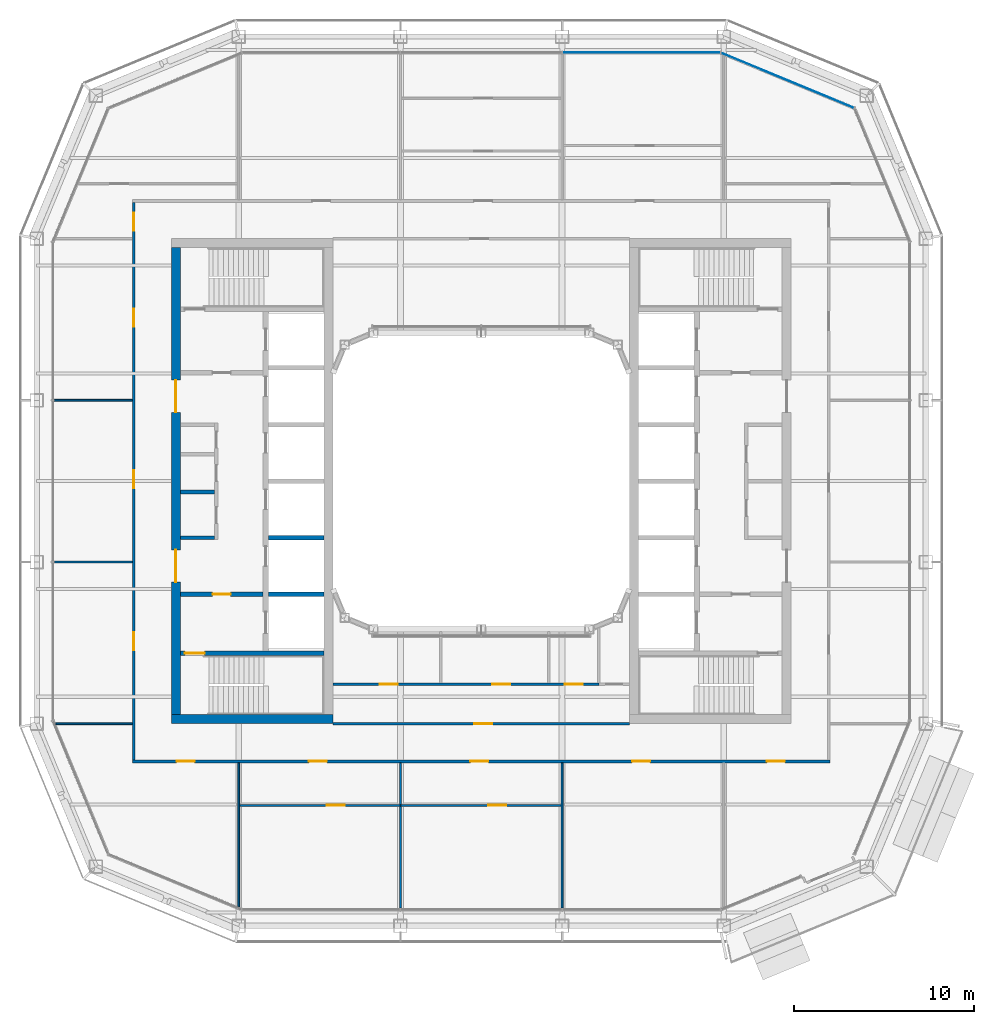
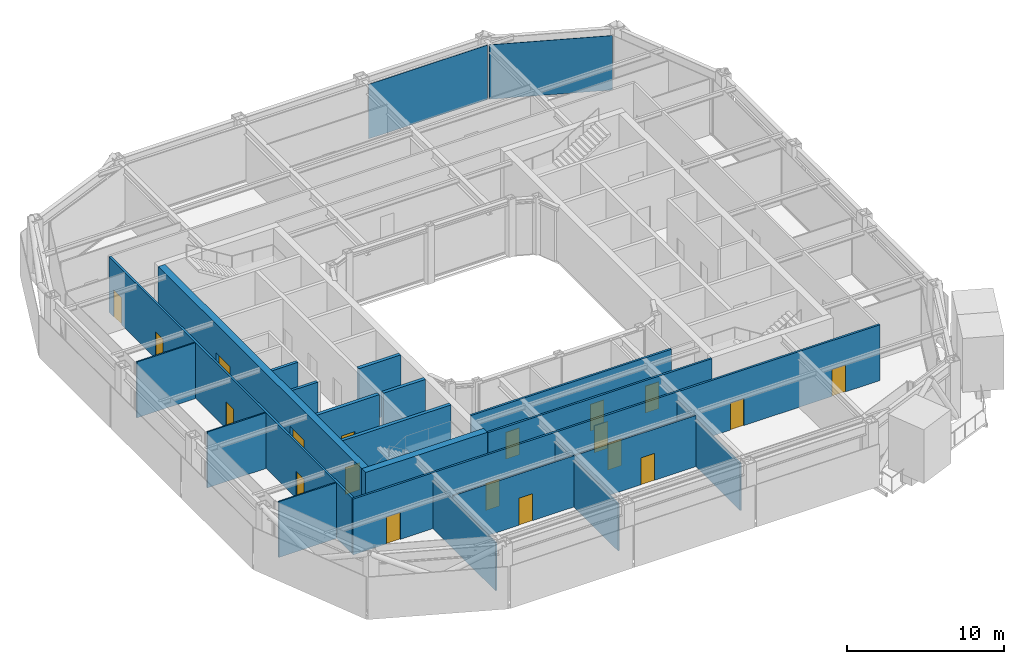
# One storey, part 10 of 21: 20 walls, 19 doors, 2 plates, 19 openings, 2 elements without a shape of their own.
"""IFC4 building model written with IfcOpenShell, lengths in metres."""

from ifc_helpers import new_model, si_unit, direction, frame, frame_2d, origin, origin_2d, place, context, subcontext, project, spatial, rectangle, extrude, material, layer, layer_set, type_object, element, fill, aggregate, save


model = new_model("IFC4")

# Units and contexts
model_context = context("Model", 3, precision=1e-05, world=origin(), true_north=direction((0.0, 1.0)))
body_context = subcontext(model_context, "Body", "Model", "MODEL_VIEW")
ifc_project = project(units=[si_unit("LENGTHUNIT", "METRE"), si_unit("AREAUNIT", "SQUARE_METRE"), si_unit("VOLUMEUNIT", "CUBIC_METRE"), si_unit("PLANEANGLEUNIT", "RADIAN"), si_unit("MASSUNIT", "GRAM", prefix="KILO")], contexts=[model_context])

# Site, building, storey
site_placement = place(None, origin())
site = spatial("IfcSite", under=ifc_project, at=site_placement, CompositionType="ELEMENT")
building_placement = place(site_placement, origin())
building = spatial("IfcBuilding", under=site, at=building_placement, Name="Siwar Civic Tower", CompositionType="ELEMENT")
storey_placement = place(building_placement, frame((0.0, 0.0, 303.199951171875)))
storey = spatial("IfcBuildingStorey", under=building, at=storey_placement, Name="L65", CompositionType="ELEMENT", Elevation=303.199951171875)

# Curtain wall, plate
ifc_material_1 = material(Name="Aluminium and glass", Category="aluminium")
ifc_layer_1 = layer(ifc_material_1, 0.159912109375)
ifc_layer_set_1 = layer_set([ifc_layer_1], Name="Aluminium and glass")
curtain_wall_type_1 = type_object("IfcCurtainWallType", Name="ENV-CW-D", PredefinedType="NOTDEFINED", material=ifc_layer_set_1)
curtain_wall_1_placement = place(storey_placement, origin())
curtain_wall_1 = element("IfcCurtainWall", 1, at=curtain_wall_1_placement, inside=storey, type_object=curtain_wall_type_1, Name="Curtain wall D N", PredefinedType="NOTDEFINED")
ifc_material_2 = material(Name="Glass clear laminated", Category="glass")
ifc_layer_2 = layer(ifc_material_2, 0.030029296875)
ifc_layer_set_2 = layer_set([ifc_layer_2], Name="Glass clear laminated")
plate_type_1 = type_object("IfcPlateType", Name="ENV-PANEL-D", PredefinedType="CURTAIN_PANEL", material=ifc_layer_set_2)
plate_1_placement = place(storey_placement, frame((8.910400390625, 23.85009765625, 0.10009765625), z_axis=(0.0, 0.0, 1.0), x_axis=(-1.0, 0.0, 0.0)))
plate_1 = element("IfcPlate", 2, at=plate_1_placement, type_object=plate_type_1, Name="Curtain panel D N 1", PredefinedType="CURTAIN_PANEL", context=body_context, shape_type="SweptSolid", body=[
    extrude(rectangle(XDim=8.760986328125, YDim=0.030029296875, at=origin_2d()), origin(), (0.0, 0.0, 1.0), 4.25),
])
aggregate(curtain_wall_1, [plate_1])

ifc_material_3 = material(Name="Aluminium clad insulated panel", Category="aluminium")
ifc_layer_3 = layer(ifc_material_3, 0.159912109375)
ifc_layer_set_3 = layer_set([ifc_layer_3], Name="Aluminium clad insulated panel")
curtain_wall_type_2 = type_object("IfcCurtainWallType", Name="ENV-CW-DX", PredefinedType="NOTDEFINED", material=ifc_layer_set_3)
curtain_wall_2_placement = place(storey_placement, origin())
curtain_wall_2 = element("IfcCurtainWall", 3, at=curtain_wall_2_placement, inside=storey, type_object=curtain_wall_type_2, Name="Curtain wall D NE2", PredefinedType="NOTDEFINED")
ifc_material_4 = material(Name="Aluminium clad insulated panel", Category="aluminium")
ifc_layer_4 = layer(ifc_material_4, 0.030029296875)
ifc_layer_set_4 = layer_set([ifc_layer_4], Name="Aluminium clad insulated panel")
plate_type_2 = type_object("IfcPlateType", Name="ENV-PANEL-DX", PredefinedType="CURTAIN_PANEL", material=ifc_layer_set_4)
plate_2_placement = place(storey_placement, frame((17.074951171875, 22.295166015625, 0.10009765625), z_axis=(0.0, 0.0, 1.0), x_axis=(-0.923879532511, 0.382683432365, 0.0)))
plate_2 = element("IfcPlate", 4, at=plate_2_placement, type_object=plate_type_2, Name="Curtain panel D NE2 1", PredefinedType="CURTAIN_PANEL", context=body_context, shape_type="SweptSolid", body=[
    extrude(rectangle(XDim=7.9306640625, YDim=0.030029296875, at=origin_2d()), origin(), (0.0, 0.0, 1.0), 4.25),
])
aggregate(curtain_wall_2, [plate_2])

# Walls
ifc_material_5 = material(Name="Gypsum board on steel studs", Category="steel")
ifc_layer_5 = layer(ifc_material_5, 0.199951171875)
ifc_layer_set_5 = layer_set([ifc_layer_5], Name="Gypsum board on steel studs")
wall_type_1 = type_object("IfcWallType", Name="CORE-PARTITION-200", PredefinedType="PARTITIONING", material=ifc_layer_set_5)
for number, where, z_axis, x_axis, name in (
    (5, (-14.85009765625, -3.14990234375, 0.0), (0.0, 0.0, 1.0), (-1.0, 0.0, 0.0), "Core partition W"),
    (6, (-14.85009765625, -0.60009765625, 0.0), (0.0, 0.0, 1.0), (-1.0, 0.0, 0.0), "Core partition W"),
):
    element("IfcWall", number, at=place(storey_placement, frame(where, z_axis=z_axis, x_axis=x_axis)), inside=storey, type_object=wall_type_1, Name=name, PredefinedType="PARTITIONING", context=body_context, shape_type="SweptSolid", body=[
        extrude(rectangle(XDim=1.89990234375, YDim=0.199951171875, at=frame_2d((0.949951171875, 0.0))), origin(), (0.0, 0.0, 1.0), 4.35009765625),
    ])

# Wall, opening, door
ifc_material_6 = material(Name="Concrete C60/75", Category="concrete")
ifc_layer_6 = layer(ifc_material_6, 0.25)
ifc_layer_set_6 = layer_set([ifc_layer_6], Name="Concrete C60/75")
wall_type_2 = type_object("IfcWallType", Name="CORE-WALL-RC250", PredefinedType="SHEAR", material=ifc_layer_set_6)
wall_1_placement = place(storey_placement, frame((-12.14990234375, -6.300048828125, 0.0), z_axis=(0.0, 0.0, 1.0), x_axis=(-1.0, 0.0, 0.0)))
wall_1 = element("IfcWall", 7, at=wall_1_placement, inside=storey, type_object=wall_type_2, Name="Core wall W", PredefinedType="SHEAR", context=body_context, shape_type="SweptSolid", body=[
    extrude(rectangle(XDim=4.60009765625, YDim=0.25, at=frame_2d((2.300048828125, 0.0))), origin(), (0.0, 0.0, 1.0), 4.35009765625),
])
opening_1_placement = place(wall_1_placement, frame((1.800048828125, 0.0, 0.0)))
opening_1 = element("IfcOpeningElement", 8, at=opening_1_placement, cuts=wall_1, Name="Opening L65-CW02", PredefinedType="OPENING", context=body_context, shape_type="SweptSolid", body=[
    extrude(rectangle(XDim=1.0, YDim=2.10009765625, at=frame_2d((0.5, 1.050048828125))), frame((0.0, 0.135009765625, 0.0), z_axis=(0.0, -1.0, 0.0), x_axis=(1.0, 0.0, 0.0)), (0.0, 0.0, 1.0), 0.27001953125),
])
ifc_material_7 = material(Name="Steel door leaf", Category="steel")
door_type_1 = type_object("IfcDoorType", Name="CORE-DOOR-FD30S", OperationType="SINGLE_SWING_LEFT", PredefinedType="DOOR", material=ifc_material_7)
door_1_placement = place(opening_1_placement, origin())
door_1 = element("IfcDoor", 9, at=door_1_placement, inside=storey, type_object=door_type_1, Name="Service lobby door L65-CW02", OperationType="SINGLE_SWING_RIGHT", OverallHeight=2.10009765625, OverallWidth=1.0, PredefinedType="DOOR", context=body_context, shape_type="SweptSolid", body=[
    extrude(rectangle(XDim=1.0, YDim=2.10009765625, at=frame_2d((0.5, 1.050048828125))), frame((0.0, 0.02490234375, 0.0), z_axis=(0.0, -1.0, 0.0), x_axis=(1.0, 0.0, 0.0)), (0.0, 0.0, 1.0), 0.050048828125),
])
fill(opening_1, door_1)

# Walls
for number, where, z_axis, x_axis, name in (
    (10, (-8.75, -3.14990234375, 0.0), (0.0, 0.0, 1.0), (-1.0, 0.0, 0.0), "Core wall W"),
    (11, (-8.75, -6.300048828125, 0.0), (0.0, 0.0, 1.0), (-1.0, 0.0, 0.0), "Core wall W"),
):
    element("IfcWall", number, at=place(storey_placement, frame(where, z_axis=z_axis, x_axis=x_axis)), inside=storey, type_object=wall_type_2, Name=name, PredefinedType="SHEAR", context=body_context, shape_type="SweptSolid", body=[
        extrude(rectangle(XDim=3.10009765625, YDim=0.25, at=frame_2d((1.550048828125, 0.0))), origin(), (0.0, 0.0, 1.0), 4.35009765625),
    ])

# Wall, opening, door
wall_2_placement = place(storey_placement, frame((-8.75, -9.574951171875, 0.0), z_axis=(0.0, 0.0, 1.0), x_axis=(-1.0, 0.0, 0.0)))
wall_2 = element("IfcWall", 12, at=wall_2_placement, inside=storey, type_object=wall_type_2, Name="Core wall W", PredefinedType="SHEAR", context=body_context, shape_type="SweptSolid", body=[
    extrude(rectangle(XDim=8.0, YDim=0.25, at=frame_2d((4.0, 0.0))), origin(), (0.0, 0.0, 1.0), 4.35009765625),
])
opening_2_placement = place(wall_2_placement, frame((6.64990234375, 0.0, 0.0)))
opening_2 = element("IfcOpeningElement", 13, at=opening_2_placement, cuts=wall_2, Name="Opening L65-CW04", PredefinedType="OPENING", context=body_context, shape_type="SweptSolid", body=[
    extrude(rectangle(XDim=1.10009765625, YDim=2.10009765625, at=frame_2d((0.550048828125, 1.050048828125))), frame((0.0, 0.135009765625, 0.0), z_axis=(0.0, -1.0, 0.0), x_axis=(1.0, 0.0, 0.0)), (0.0, 0.0, 1.0), 0.27001953125),
])
ifc_material_8 = material(Name="Steel door leaf", Category="steel")
door_type_2 = type_object("IfcDoorType", Name="CORE-DOOR-FD60S", OperationType="SINGLE_SWING_LEFT", PredefinedType="DOOR", material=ifc_material_8)
door_2_placement = place(opening_2_placement, origin())
door_2 = element("IfcDoor", 14, at=door_2_placement, inside=storey, type_object=door_type_2, Name="Stair door L65-CW04", OperationType="SINGLE_SWING_LEFT", OverallHeight=2.10009765625, OverallWidth=1.10009765625, PredefinedType="DOOR", context=body_context, shape_type="SweptSolid", body=[
    extrude(rectangle(XDim=1.10009765625, YDim=2.10009765625, at=frame_2d((0.550048828125, 1.050048828125))), frame((0.0, 0.02490234375, 0.0), z_axis=(0.0, -1.0, 0.0), x_axis=(1.0, 0.0, 0.0)), (0.0, 0.0, 1.0), 0.050048828125),
])
fill(opening_2, door_2)

# Wall, openings, doors
ifc_material_9 = material(Name="Concrete C60/75", Category="concrete")
ifc_layer_7 = layer(ifc_material_9, 0.5)
ifc_layer_set_7 = layer_set([ifc_layer_7], Name="Concrete C60/75")
wall_type_3 = type_object("IfcWallType", Name="CORE-WALL-RC500", PredefinedType="SHEAR", material=ifc_layer_set_7)
wall_3_placement = place(storey_placement, frame((-17.0, -13.0, 0.0), z_axis=(0.0, 0.0, 1.0), x_axis=(0.0, 1.0, 0.0)))
wall_3 = element("IfcWall", 15, at=wall_3_placement, inside=storey, type_object=wall_type_3, Name="Core wall W", PredefinedType="SHEAR", context=body_context, shape_type="SweptSolid", body=[
    extrude(rectangle(XDim=26.0, YDim=0.5, at=frame_2d((13.0, 0.0))), origin(), (0.0, 0.0, 1.0), 4.35009765625),
])
opening_3_placement = place(wall_3_placement, frame((16.824951171875, 0.0, 0.0)))
opening_3 = element("IfcOpeningElement", 16, at=opening_3_placement, cuts=wall_3, Name="Opening L65-CW05", PredefinedType="OPENING", context=body_context, shape_type="SweptSolid", body=[
    extrude(rectangle(XDim=1.800048828125, YDim=2.10009765625, at=frame_2d((0.89990234375, 1.050048828125))), frame((0.0, 0.260009765625, 0.0), z_axis=(0.0, -1.0, 0.0), x_axis=(1.0, 0.0, 0.0)), (0.0, 0.0, 1.0), 0.52001953125),
])
opening_4_placement = place(wall_3_placement, frame((7.375, 0.0, 0.0)))
opening_4 = element("IfcOpeningElement", 17, at=opening_4_placement, cuts=wall_3, Name="Opening L65-CW06", PredefinedType="OPENING", context=body_context, shape_type="SweptSolid", body=[
    extrude(rectangle(XDim=1.800048828125, YDim=2.10009765625, at=frame_2d((0.89990234375, 1.050048828125))), frame((0.0, 0.260009765625, 0.0), z_axis=(0.0, -1.0, 0.0), x_axis=(1.0, 0.0, 0.0)), (0.0, 0.0, 1.0), 0.52001953125),
])
ifc_material_10 = material(Name="Steel door leaf", Category="steel")
door_type_3 = type_object("IfcDoorType", Name="CORE-DOOR-PORT", OperationType="DOUBLE_DOOR_DOUBLE_SWING", PredefinedType="DOOR", material=ifc_material_10)
door_3_placement = place(opening_3_placement, origin())
door_3 = element("IfcDoor", 18, at=door_3_placement, inside=storey, type_object=door_type_3, Name="Core entrance door L65-CW05", OperationType="DOUBLE_DOOR_DOUBLE_SWING", OverallHeight=2.10009765625, OverallWidth=1.800048828125, PredefinedType="DOOR", context=body_context, shape_type="SweptSolid", body=[
    extrude(rectangle(XDim=1.800048828125, YDim=2.10009765625, at=frame_2d((0.89990234375, 1.050048828125))), frame((0.0, 0.02490234375, 0.0), z_axis=(0.0, -1.0, 0.0), x_axis=(1.0, 0.0, 0.0)), (0.0, 0.0, 1.0), 0.050048828125),
])
fill(opening_3, door_3)
door_4_placement = place(opening_4_placement, origin())
door_4 = element("IfcDoor", 19, at=door_4_placement, inside=storey, type_object=door_type_3, Name="Core entrance door L65-CW06", OperationType="DOUBLE_DOOR_DOUBLE_SWING", OverallHeight=2.10009765625, OverallWidth=1.800048828125, PredefinedType="DOOR", context=body_context, shape_type="SweptSolid", body=[
    extrude(rectangle(XDim=1.800048828125, YDim=2.10009765625, at=frame_2d((0.89990234375, 1.050048828125))), frame((0.0, 0.02490234375, 0.0), z_axis=(0.0, -1.0, 0.0), x_axis=(1.0, 0.0, 0.0)), (0.0, 0.0, 1.0), 0.050048828125),
])
fill(opening_4, door_4)

# Wall
wall_4_placement = place(storey_placement, frame((-8.25, -13.25, 0.0), z_axis=(0.0, 0.0, 1.0), x_axis=(-1.0, 0.0, 0.0)))
element("IfcWall", 20, at=wall_4_placement, inside=storey, type_object=wall_type_3, Name="Core wall W", PredefinedType="SHEAR", context=body_context, shape_type="SweptSolid", body=[
    extrude(rectangle(XDim=9.0, YDim=0.5, at=frame_2d((4.5, 0.0))), origin(), (0.0, 0.0, 1.0), 4.35009765625),
])

# Wall, openings, doors
ifc_material_11 = material(Name="Gypsum board on steel studs", Category="steel")
ifc_layer_8 = layer(ifc_material_11, 0.14990234375)
ifc_layer_set_8 = layer_set([ifc_layer_8], Name="Gypsum board on steel studs")
wall_type_4 = type_object("IfcWallType", Name="CORRIDOR PARTITION 150 EI 30", PredefinedType="PARTITIONING", material=ifc_layer_set_8)
wall_5_placement = place(storey_placement, frame((-19.425048828125, -15.60009765625, 0.0), z_axis=(0.0, 0.0, 1.0), x_axis=(1.0, 0.0, 0.0)))
wall_5 = element("IfcWall", 21, at=wall_5_placement, inside=storey, type_object=wall_type_4, Name="L65/wall/P02", PredefinedType="PARTITIONING", context=body_context, shape_type="SweptSolid", body=[
    extrude(rectangle(XDim=38.85009765625, YDim=0.14990234375, at=frame_2d((19.425048828125, 0.0))), origin(), (0.0, 0.0, 1.0), 4.35009765625),
])
opening_5_placement = place(wall_5_placement, frame((9.824951171875, 0.0, 0.0)))
opening_5 = element("IfcOpeningElement", 22, at=opening_5_placement, cuts=wall_5, Name="Opening D1", PredefinedType="OPENING", context=body_context, shape_type="SweptSolid", body=[
    extrude(rectangle(XDim=1.0, YDim=2.10009765625, at=frame_2d((0.5, 1.050048828125))), frame((0.0, 0.0849609375, 0.0), z_axis=(0.0, -1.0, 0.0), x_axis=(1.0, 0.0, 0.0)), (0.0, 0.0, 1.0), 0.169921875),
])
opening_6_placement = place(wall_5_placement, frame((18.824951171875, 0.0, 0.0)))
opening_6 = element("IfcOpeningElement", 23, at=opening_6_placement, cuts=wall_5, Name="Opening D1", PredefinedType="OPENING", context=body_context, shape_type="SweptSolid", body=[
    extrude(rectangle(XDim=1.0, YDim=2.10009765625, at=frame_2d((0.5, 1.050048828125))), frame((0.0, 0.0849609375, 0.0), z_axis=(0.0, -1.0, 0.0), x_axis=(1.0, 0.0, 0.0)), (0.0, 0.0, 1.0), 0.169921875),
])
opening_7_placement = place(wall_5_placement, frame((27.824951171875, 0.0, 0.0)))
opening_7 = element("IfcOpeningElement", 24, at=opening_7_placement, cuts=wall_5, Name="Opening D1", PredefinedType="OPENING", context=body_context, shape_type="SweptSolid", body=[
    extrude(rectangle(XDim=1.0, YDim=2.10009765625, at=frame_2d((0.5, 1.050048828125))), frame((0.0, 0.0849609375, 0.0), z_axis=(0.0, -1.0, 0.0), x_axis=(1.0, 0.0, 0.0)), (0.0, 0.0, 1.0), 0.169921875),
])
opening_8_placement = place(wall_5_placement, frame((2.47509765625, 0.0, 0.0)))
opening_8 = element("IfcOpeningElement", 25, at=opening_8_placement, cuts=wall_5, Name="Opening D1", PredefinedType="OPENING", context=body_context, shape_type="SweptSolid", body=[
    extrude(rectangle(XDim=1.0, YDim=2.10009765625, at=frame_2d((0.5, 1.050048828125))), frame((0.0, 0.0849609375, 0.0), z_axis=(0.0, -1.0, 0.0), x_axis=(1.0, 0.0, 0.0)), (0.0, 0.0, 1.0), 0.169921875),
])
opening_9_placement = place(wall_5_placement, frame((35.324951171875, 0.0, 0.0)))
opening_9 = element("IfcOpeningElement", 26, at=opening_9_placement, cuts=wall_5, Name="Opening D1", PredefinedType="OPENING", context=body_context, shape_type="SweptSolid", body=[
    extrude(rectangle(XDim=1.0, YDim=2.10009765625, at=frame_2d((0.5, 1.050048828125))), frame((0.0, 0.0849609375, 0.0), z_axis=(0.0, -1.0, 0.0), x_axis=(1.0, 0.0, 0.0)), (0.0, 0.0, 1.0), 0.169921875),
])
ifc_material_12 = material(Name="Timber, painted", Category="wood")
door_type_4 = type_object("IfcDoorType", Name="DOOR 1000 X 2100 FD30", OperationType="SINGLE_SWING_LEFT", PredefinedType="DOOR", material=ifc_material_12)
door_5_placement = place(opening_5_placement, origin())
door_5 = element("IfcDoor", 27, at=door_5_placement, inside=storey, type_object=door_type_4, Name="L65-D07", OperationType="SINGLE_SWING_LEFT", OverallHeight=2.10009765625, OverallWidth=1.0, PredefinedType="DOOR", context=body_context, shape_type="SweptSolid", body=[
    extrude(rectangle(XDim=1.0, YDim=2.10009765625, at=frame_2d((0.5, 1.050048828125))), frame((0.0, 0.02490234375, 0.0), z_axis=(0.0, -1.0, 0.0), x_axis=(1.0, 0.0, 0.0)), (0.0, 0.0, 1.0), 0.050048828125),
])
fill(opening_5, door_5)
door_6_placement = place(opening_6_placement, origin())
door_6 = element("IfcDoor", 28, at=door_6_placement, inside=storey, type_object=door_type_4, Name="L65-D09", OperationType="SINGLE_SWING_LEFT", OverallHeight=2.10009765625, OverallWidth=1.0, PredefinedType="DOOR", context=body_context, shape_type="SweptSolid", body=[
    extrude(rectangle(XDim=1.0, YDim=2.10009765625, at=frame_2d((0.5, 1.050048828125))), frame((0.0, 0.02490234375, 0.0), z_axis=(0.0, -1.0, 0.0), x_axis=(1.0, 0.0, 0.0)), (0.0, 0.0, 1.0), 0.050048828125),
])
fill(opening_6, door_6)
door_7_placement = place(opening_7_placement, origin())
door_7 = element("IfcDoor", 29, at=door_7_placement, inside=storey, type_object=door_type_4, Name="L65-D11", OperationType="SINGLE_SWING_LEFT", OverallHeight=2.10009765625, OverallWidth=1.0, PredefinedType="DOOR", context=body_context, shape_type="SweptSolid", body=[
    extrude(rectangle(XDim=1.0, YDim=2.10009765625, at=frame_2d((0.5, 1.050048828125))), frame((0.0, 0.02490234375, 0.0), z_axis=(0.0, -1.0, 0.0), x_axis=(1.0, 0.0, 0.0)), (0.0, 0.0, 1.0), 0.050048828125),
])
fill(opening_7, door_7)
door_8_placement = place(opening_8_placement, origin())
door_8 = element("IfcDoor", 30, at=door_8_placement, inside=storey, type_object=door_type_4, Name="L65-D16", OperationType="SINGLE_SWING_RIGHT", OverallHeight=2.10009765625, OverallWidth=1.0, PredefinedType="DOOR", context=body_context, shape_type="SweptSolid", body=[
    extrude(rectangle(XDim=1.0, YDim=2.10009765625, at=frame_2d((0.5, 1.050048828125))), frame((0.0, 0.02490234375, 0.0), z_axis=(0.0, -1.0, 0.0), x_axis=(1.0, 0.0, 0.0)), (0.0, 0.0, 1.0), 0.050048828125),
])
fill(opening_8, door_8)
door_9_placement = place(opening_9_placement, origin())
door_9 = element("IfcDoor", 31, at=door_9_placement, inside=storey, type_object=door_type_4, Name="L65-D17", OperationType="SINGLE_SWING_LEFT", OverallHeight=2.10009765625, OverallWidth=1.0, PredefinedType="DOOR", context=body_context, shape_type="SweptSolid", body=[
    extrude(rectangle(XDim=1.0, YDim=2.10009765625, at=frame_2d((0.5, 1.050048828125))), frame((0.0, 0.02490234375, 0.0), z_axis=(0.0, -1.0, 0.0), x_axis=(1.0, 0.0, 0.0)), (0.0, 0.0, 1.0), 0.050048828125),
])
fill(opening_9, door_9)

# Wall, opening, door
wall_6_placement = place(storey_placement, frame((-8.25, -13.5, 0.0), z_axis=(0.0, 0.0, 1.0), x_axis=(1.0, 0.0, 0.0)))
wall_6 = element("IfcWall", 32, at=wall_6_placement, inside=storey, type_object=wall_type_4, Name="L65/wall/P05", PredefinedType="PARTITIONING", context=body_context, shape_type="SweptSolid", body=[
    extrude(rectangle(XDim=16.5, YDim=0.14990234375, at=frame_2d((8.25, 0.0))), origin(), (0.0, 0.0, 1.0), 4.35009765625),
])
opening_10_placement = place(wall_6_placement, frame((7.85009765625, 0.0, 0.0)))
opening_10 = element("IfcOpeningElement", 33, at=opening_10_placement, cuts=wall_6, Name="Opening D1", PredefinedType="OPENING", context=body_context, shape_type="SweptSolid", body=[
    extrude(rectangle(XDim=1.0, YDim=2.10009765625, at=frame_2d((0.5, 1.050048828125))), frame((0.0, 0.0849609375, 0.0), z_axis=(0.0, -1.0, 0.0), x_axis=(1.0, 0.0, 0.0)), (0.0, 0.0, 1.0), 0.169921875),
])
door_10_placement = place(opening_10_placement, origin())
door_10 = element("IfcDoor", 34, at=door_10_placement, inside=storey, type_object=door_type_4, Name="L65-D25", OperationType="SINGLE_SWING_LEFT", OverallHeight=2.10009765625, OverallWidth=1.0, PredefinedType="DOOR", context=body_context, shape_type="SweptSolid", body=[
    extrude(rectangle(XDim=1.0, YDim=2.10009765625, at=frame_2d((0.5, 1.050048828125))), frame((0.0, 0.02490234375, 0.0), z_axis=(0.0, -1.0, 0.0), x_axis=(1.0, 0.0, 0.0)), (0.0, 0.0, 1.0), 0.050048828125),
])
fill(opening_10, door_10)

# Wall, openings, doors
wall_7_placement = place(storey_placement, frame((-8.25, -11.300048828125, 0.0), z_axis=(0.0, 0.0, 1.0), x_axis=(1.0, 0.0, 0.0)))
wall_7 = element("IfcWall", 35, at=wall_7_placement, inside=storey, type_object=wall_type_4, Name="L65/wall/P06", PredefinedType="PARTITIONING", context=body_context, shape_type="SweptSolid", body=[
    extrude(rectangle(XDim=14.7900390625, YDim=0.14990234375, at=frame_2d((7.39501953125, 0.0))), origin(), (0.0, 0.0, 1.0), 4.35009765625),
])
opening_11_placement = place(wall_7_placement, frame((2.60009765625, 0.0, 0.0)))
opening_11 = element("IfcOpeningElement", 36, at=opening_11_placement, cuts=wall_7, Name="Opening D3", PredefinedType="OPENING", context=body_context, shape_type="SweptSolid", body=[
    extrude(rectangle(XDim=1.0, YDim=2.10009765625, at=frame_2d((0.5, 1.050048828125))), frame((0.0, 0.0849609375, 0.0), z_axis=(0.0, -1.0, 0.0), x_axis=(1.0, 0.0, 0.0)), (0.0, 0.0, 1.0), 0.169921875),
])
opening_12_placement = place(wall_7_placement, frame((8.85009765625, 0.0, 0.0)))
opening_12 = element("IfcOpeningElement", 37, at=opening_12_placement, cuts=wall_7, Name="Opening D3", PredefinedType="OPENING", context=body_context, shape_type="SweptSolid", body=[
    extrude(rectangle(XDim=1.0, YDim=2.10009765625, at=frame_2d((0.5, 1.050048828125))), frame((0.0, 0.0849609375, 0.0), z_axis=(0.0, -1.0, 0.0), x_axis=(1.0, 0.0, 0.0)), (0.0, 0.0, 1.0), 0.169921875),
])
opening_13_placement = place(wall_7_placement, frame((12.889892578125, 0.0, 0.0)))
opening_13 = element("IfcOpeningElement", 38, at=opening_13_placement, cuts=wall_7, Name="Opening D3", PredefinedType="OPENING", context=body_context, shape_type="SweptSolid", body=[
    extrude(rectangle(XDim=1.0, YDim=2.10009765625, at=frame_2d((0.5, 1.050048828125))), frame((0.0, 0.0849609375, 0.0), z_axis=(0.0, -1.0, 0.0), x_axis=(1.0, 0.0, 0.0)), (0.0, 0.0, 1.0), 0.169921875),
])
ifc_material_13 = material(Name="Timber, painted", Category="wood")
door_type_5 = type_object("IfcDoorType", Name="DOOR 1000 X 2100 WC", OperationType="SINGLE_SWING_LEFT", PredefinedType="DOOR", material=ifc_material_13)
door_11_placement = place(opening_11_placement, origin())
door_11 = element("IfcDoor", 39, at=door_11_placement, inside=storey, type_object=door_type_5, Name="L65-D26", OperationType="SINGLE_SWING_RIGHT", OverallHeight=2.10009765625, OverallWidth=1.0, PredefinedType="DOOR", context=body_context, shape_type="SweptSolid", body=[
    extrude(rectangle(XDim=1.0, YDim=2.10009765625, at=frame_2d((0.5, 1.050048828125))), frame((0.0, 0.02490234375, 0.0), z_axis=(0.0, -1.0, 0.0), x_axis=(1.0, 0.0, 0.0)), (0.0, 0.0, 1.0), 0.050048828125),
])
fill(opening_11, door_11)
door_12_placement = place(opening_12_placement, origin())
door_12 = element("IfcDoor", 40, at=door_12_placement, inside=storey, type_object=door_type_5, Name="L65-D27", OperationType="SINGLE_SWING_LEFT", OverallHeight=2.10009765625, OverallWidth=1.0, PredefinedType="DOOR", context=body_context, shape_type="SweptSolid", body=[
    extrude(rectangle(XDim=1.0, YDim=2.10009765625, at=frame_2d((0.5, 1.050048828125))), frame((0.0, 0.02490234375, 0.0), z_axis=(0.0, -1.0, 0.0), x_axis=(1.0, 0.0, 0.0)), (0.0, 0.0, 1.0), 0.050048828125),
])
fill(opening_12, door_12)
door_13_placement = place(opening_13_placement, origin())
door_13 = element("IfcDoor", 41, at=door_13_placement, inside=storey, type_object=door_type_5, Name="L65-D28", OperationType="SINGLE_SWING_RIGHT", OverallHeight=2.10009765625, OverallWidth=1.0, PredefinedType="DOOR", context=body_context, shape_type="SweptSolid", body=[
    extrude(rectangle(XDim=1.0, YDim=2.10009765625, at=frame_2d((0.5, 1.050048828125))), frame((0.0, 0.02490234375, 0.0), z_axis=(0.0, -1.0, 0.0), x_axis=(1.0, 0.0, 0.0)), (0.0, 0.0, 1.0), 0.050048828125),
])
fill(opening_13, door_13)

wall_8_placement = place(storey_placement, frame((-19.35009765625, -15.52490234375, 0.0), z_axis=(0.0, 0.0, 1.0), x_axis=(0.0, 1.0, 0.0)))
wall_8 = element("IfcWall", 42, at=wall_8_placement, inside=storey, type_object=wall_type_4, Name="L65/wall/P21", PredefinedType="PARTITIONING", context=body_context, shape_type="SweptSolid", body=[
    extrude(rectangle(XDim=31.0498046875, YDim=0.14990234375, at=frame_2d((15.52490234375, 0.0))), origin(), (0.0, 0.0, 1.0), 4.35009765625),
])
opening_14_placement = place(wall_8_placement, frame((29.47509765625, 0.0, 0.0)))
opening_14 = element("IfcOpeningElement", 43, at=opening_14_placement, cuts=wall_8, Name="Opening D1", PredefinedType="OPENING", context=body_context, shape_type="SweptSolid", body=[
    extrude(rectangle(XDim=1.0, YDim=2.10009765625, at=frame_2d((0.5, 1.050048828125))), frame((0.0, 0.0849609375, 0.0), z_axis=(0.0, -1.0, 0.0), x_axis=(1.0, 0.0, 0.0)), (0.0, 0.0, 1.0), 0.169921875),
])
opening_15_placement = place(wall_8_placement, frame((6.125, 0.0, 0.0)))
opening_15 = element("IfcOpeningElement", 44, at=opening_15_placement, cuts=wall_8, Name="Opening D1", PredefinedType="OPENING", context=body_context, shape_type="SweptSolid", body=[
    extrude(rectangle(XDim=1.0, YDim=2.10009765625, at=frame_2d((0.5, 1.050048828125))), frame((0.0, 0.0849609375, 0.0), z_axis=(0.0, -1.0, 0.0), x_axis=(1.0, 0.0, 0.0)), (0.0, 0.0, 1.0), 0.169921875),
])
opening_16_placement = place(wall_8_placement, frame((15.125, 0.0, 0.0)))
opening_16 = element("IfcOpeningElement", 45, at=opening_16_placement, cuts=wall_8, Name="Opening D1", PredefinedType="OPENING", context=body_context, shape_type="SweptSolid", body=[
    extrude(rectangle(XDim=1.0, YDim=2.10009765625, at=frame_2d((0.5, 1.050048828125))), frame((0.0, 0.0849609375, 0.0), z_axis=(0.0, -1.0, 0.0), x_axis=(1.0, 0.0, 0.0)), (0.0, 0.0, 1.0), 0.169921875),
])
opening_17_placement = place(wall_8_placement, frame((24.125, 0.0, 0.0)))
opening_17 = element("IfcOpeningElement", 46, at=opening_17_placement, cuts=wall_8, Name="Opening D1", PredefinedType="OPENING", context=body_context, shape_type="SweptSolid", body=[
    extrude(rectangle(XDim=1.0, YDim=2.10009765625, at=frame_2d((0.5, 1.050048828125))), frame((0.0, 0.0849609375, 0.0), z_axis=(0.0, -1.0, 0.0), x_axis=(1.0, 0.0, 0.0)), (0.0, 0.0, 1.0), 0.169921875),
])
door_14_placement = place(opening_14_placement, origin())
door_14 = element("IfcDoor", 47, at=door_14_placement, inside=storey, type_object=door_type_4, Name="L65-D12", OperationType="SINGLE_SWING_RIGHT", OverallHeight=2.10009765625, OverallWidth=1.0, PredefinedType="DOOR", context=body_context, shape_type="SweptSolid", body=[
    extrude(rectangle(XDim=1.0, YDim=2.10009765625, at=frame_2d((0.5, 1.050048828125))), frame((0.0, 0.02490234375, 0.0), z_axis=(0.0, -1.0, 0.0), x_axis=(1.0, 0.0, 0.0)), (0.0, 0.0, 1.0), 0.050048828125),
])
fill(opening_14, door_14)
door_15_placement = place(opening_15_placement, origin())
door_15 = element("IfcDoor", 48, at=door_15_placement, inside=storey, type_object=door_type_4, Name="L65-D18", OperationType="SINGLE_SWING_RIGHT", OverallHeight=2.10009765625, OverallWidth=1.0, PredefinedType="DOOR", context=body_context, shape_type="SweptSolid", body=[
    extrude(rectangle(XDim=1.0, YDim=2.10009765625, at=frame_2d((0.5, 1.050048828125))), frame((0.0, 0.02490234375, 0.0), z_axis=(0.0, -1.0, 0.0), x_axis=(1.0, 0.0, 0.0)), (0.0, 0.0, 1.0), 0.050048828125),
])
fill(opening_15, door_15)
door_16_placement = place(opening_16_placement, origin())
door_16 = element("IfcDoor", 49, at=door_16_placement, inside=storey, type_object=door_type_4, Name="L65-D19", OperationType="SINGLE_SWING_LEFT", OverallHeight=2.10009765625, OverallWidth=1.0, PredefinedType="DOOR", context=body_context, shape_type="SweptSolid", body=[
    extrude(rectangle(XDim=1.0, YDim=2.10009765625, at=frame_2d((0.5, 1.050048828125))), frame((0.0, 0.02490234375, 0.0), z_axis=(0.0, -1.0, 0.0), x_axis=(1.0, 0.0, 0.0)), (0.0, 0.0, 1.0), 0.050048828125),
])
fill(opening_16, door_16)
door_17_placement = place(opening_17_placement, origin())
door_17 = element("IfcDoor", 50, at=door_17_placement, inside=storey, type_object=door_type_4, Name="L65-D20", OperationType="SINGLE_SWING_RIGHT", OverallHeight=2.10009765625, OverallWidth=1.0, PredefinedType="DOOR", context=body_context, shape_type="SweptSolid", body=[
    extrude(rectangle(XDim=1.0, YDim=2.10009765625, at=frame_2d((0.5, 1.050048828125))), frame((0.0, 0.02490234375, 0.0), z_axis=(0.0, -1.0, 0.0), x_axis=(1.0, 0.0, 0.0)), (0.0, 0.0, 1.0), 0.050048828125),
])
fill(opening_17, door_17)

ifc_material_14 = material(Name="Gypsum board on steel studs", Category="steel")
ifc_layer_9 = layer(ifc_material_14, 0.10009765625)
ifc_layer_set_9 = layer_set([ifc_layer_9], Name="Gypsum board on steel studs")
wall_type_5 = type_object("IfcWallType", Name="PARTITION 100 GYPSUM", PredefinedType="PARTITIONING", material=ifc_layer_set_9)
wall_9_placement = place(storey_placement, frame((-13.449951171875, -18.048095703125, 0.0), z_axis=(0.0, 0.0, 1.0), x_axis=(1.0, 0.0, 0.0)))
wall_9 = element("IfcWall", 51, at=wall_9_placement, inside=storey, type_object=wall_type_5, Name="L65/wall/P01", PredefinedType="PARTITIONING", context=body_context, shape_type="SweptSolid", body=[
    extrude(rectangle(XDim=17.89990234375, YDim=0.10009765625, at=frame_2d((8.949951171875, 0.0))), origin(), (0.0, 0.0, 1.0), 3.989990234375),
])
opening_18_placement = place(wall_9_placement, frame((4.85009765625, 0.0, 0.0)))
opening_18 = element("IfcOpeningElement", 52, at=opening_18_placement, cuts=wall_9, Name="Opening D2", PredefinedType="OPENING", context=body_context, shape_type="SweptSolid", body=[
    extrude(rectangle(XDim=1.0, YDim=2.10009765625, at=frame_2d((0.5, 1.050048828125))), frame((0.0, 0.06005859375, 0.0), z_axis=(0.0, -1.0, 0.0), x_axis=(1.0, 0.0, 0.0)), (0.0, 0.0, 1.0), 0.1201171875),
])
opening_19_placement = place(wall_9_placement, frame((13.85009765625, 0.0, 0.0)))
opening_19 = element("IfcOpeningElement", 53, at=opening_19_placement, cuts=wall_9, Name="Opening D2", PredefinedType="OPENING", context=body_context, shape_type="SweptSolid", body=[
    extrude(rectangle(XDim=1.0, YDim=2.10009765625, at=frame_2d((0.5, 1.050048828125))), frame((0.0, 0.06005859375, 0.0), z_axis=(0.0, -1.0, 0.0), x_axis=(1.0, 0.0, 0.0)), (0.0, 0.0, 1.0), 0.1201171875),
])
ifc_material_15 = material(Name="Timber, painted", Category="wood")
door_type_6 = type_object("IfcDoorType", Name="DOOR 1000 X 2100", OperationType="SINGLE_SWING_LEFT", PredefinedType="DOOR", material=ifc_material_15)
door_18_placement = place(opening_18_placement, origin())
door_18 = element("IfcDoor", 54, at=door_18_placement, inside=storey, type_object=door_type_6, Name="L65-D08", OperationType="SINGLE_SWING_RIGHT", OverallHeight=2.10009765625, OverallWidth=1.0, PredefinedType="DOOR", context=body_context, shape_type="SweptSolid", body=[
    extrude(rectangle(XDim=1.0, YDim=2.10009765625, at=frame_2d((0.5, 1.050048828125))), frame((0.0, 0.02490234375, 0.0), z_axis=(0.0, -1.0, 0.0), x_axis=(1.0, 0.0, 0.0)), (0.0, 0.0, 1.0), 0.050048828125),
])
fill(opening_18, door_18)
door_19_placement = place(opening_19_placement, origin())
door_19 = element("IfcDoor", 55, at=door_19_placement, inside=storey, type_object=door_type_6, Name="L65-D10", OperationType="SINGLE_SWING_RIGHT", OverallHeight=2.10009765625, OverallWidth=1.0, PredefinedType="DOOR", context=body_context, shape_type="SweptSolid", body=[
    extrude(rectangle(XDim=1.0, YDim=2.10009765625, at=frame_2d((0.5, 1.050048828125))), frame((0.0, 0.02490234375, 0.0), z_axis=(0.0, -1.0, 0.0), x_axis=(1.0, 0.0, 0.0)), (0.0, 0.0, 1.0), 0.050048828125),
])
fill(opening_19, door_19)

# Walls
wall_10_placement = place(storey_placement, frame((-23.677978515625, -13.5, 0.0), z_axis=(0.0, 0.0, 1.0), x_axis=(1.0, 0.0, 0.0)))
element("IfcWall", 56, at=wall_10_placement, inside=storey, type_object=wall_type_5, Name="L65/wall/P03", PredefinedType="PARTITIONING", context=body_context, shape_type="SweptSolid", body=[
    extrude(rectangle(XDim=4.2529296875, YDim=0.10009765625, at=frame_2d((2.12646484375, 0.0))), origin(), (0.0, 0.0, 1.0), 4.35009765625),
])
for number, where, z_axis, x_axis, name in (
    (57, (-23.760009765625, -4.5, 0.0), (0.0, 0.0, 1.0), (1.0, 0.0, 0.0), "L65/wall/P08"),
    (58, (-23.760009765625, 4.5, 0.0), (0.0, 0.0, 1.0), (1.0, 0.0, 0.0), "L65/wall/P10"),
):
    element("IfcWall", number, at=place(storey_placement, frame(where, z_axis=z_axis, x_axis=x_axis)), inside=storey, type_object=wall_type_5, Name=name, PredefinedType="PARTITIONING", context=body_context, shape_type="SweptSolid", body=[
        extrude(rectangle(XDim=4.3349609375, YDim=0.10009765625, at=frame_2d((2.16748046875, 0.0))), origin(), (0.0, 0.0, 1.0), 4.35009765625),
    ])
wall_11_placement = place(storey_placement, frame((-13.5, -23.677978515625, 0.0), z_axis=(0.0, 0.0, 1.0), x_axis=(0.0, 1.0, 0.0)))
element("IfcWall", 59, at=wall_11_placement, inside=storey, type_object=wall_type_5, Name="L65/wall/P22", PredefinedType="PARTITIONING", context=body_context, shape_type="SweptSolid", body=[
    extrude(rectangle(XDim=8.0029296875, YDim=0.10009765625, at=frame_2d((4.00146484375, 0.0))), origin(), (0.0, 0.0, 1.0), 3.75),
])
wall_12_placement = place(storey_placement, frame((-4.5, -23.760009765625, 0.0), z_axis=(0.0, 0.0, 1.0), x_axis=(0.0, 1.0, 0.0)))
element("IfcWall", 60, at=wall_12_placement, inside=storey, type_object=wall_type_5, Name="L65/wall/P24", PredefinedType="PARTITIONING", context=body_context, shape_type="SweptSolid", body=[
    extrude(rectangle(XDim=5.662109375, YDim=0.10009765625, at=frame_2d((2.8310546875, 0.0))), origin(), (0.0, 0.0, 1.0), 3.650146484375),
])
wall_13_placement = place(storey_placement, frame((-4.5, -17.998046875, 0.0), z_axis=(0.0, 0.0, 1.0), x_axis=(0.0, 1.0, 0.0)))
element("IfcWall", 61, at=wall_13_placement, inside=storey, type_object=wall_type_5, Name="L65/wall/P25", PredefinedType="PARTITIONING", context=body_context, shape_type="SweptSolid", body=[
    extrude(rectangle(XDim=2.322998046875, YDim=0.10009765625, at=frame_2d((1.16162109375, 0.0))), origin(), (0.0, 0.0, 1.0), 3.650146484375),
])
wall_14_placement = place(storey_placement, frame((4.5, -23.760009765625, 0.0), z_axis=(0.0, 0.0, 1.0), x_axis=(0.0, 1.0, 0.0)))
element("IfcWall", 62, at=wall_14_placement, inside=storey, type_object=wall_type_5, Name="L65/wall/P29", PredefinedType="PARTITIONING", context=body_context, shape_type="SweptSolid", body=[
    extrude(rectangle(XDim=8.0849609375, YDim=0.10009765625, at=frame_2d((4.04248046875, 0.0))), origin(), (0.0, 0.0, 1.0), 3.650146484375),
])

save(model, "model.ifc")
